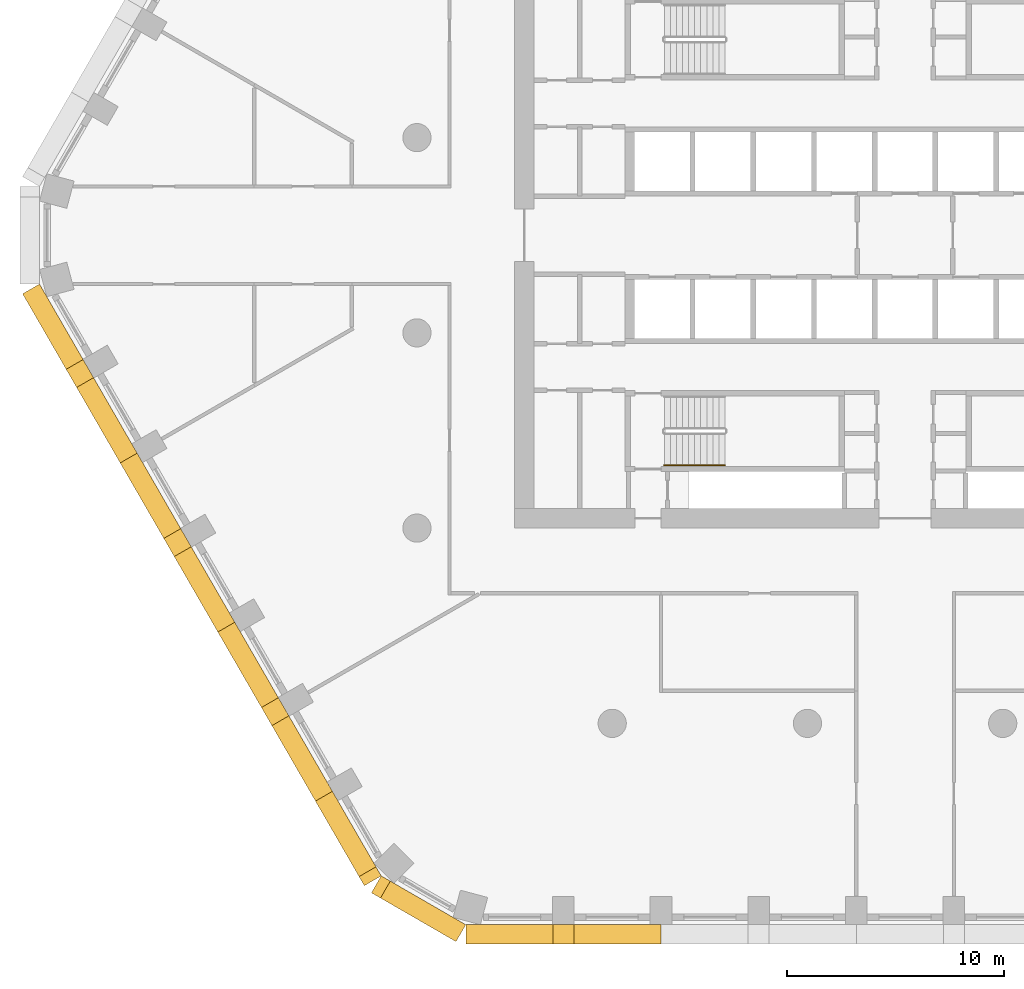
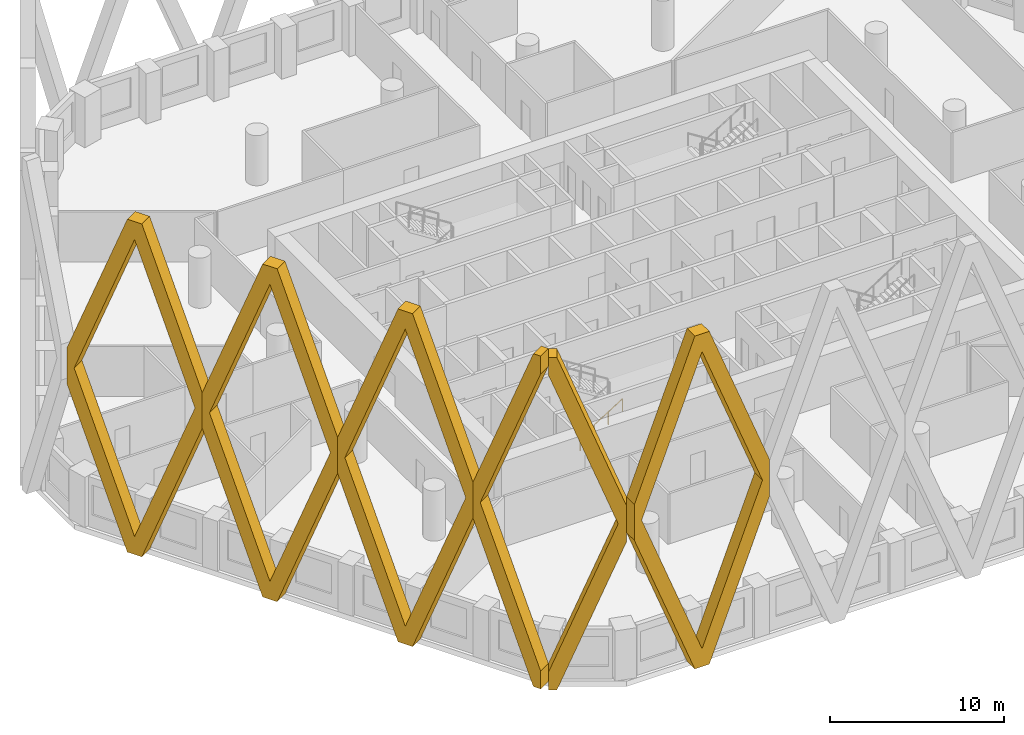
# One storey, part 10 of 18: 6 coverings, 1 railing.
"""IFC4 building model written with IfcOpenShell, lengths in metres."""

import ifcopenshell
import ifcopenshell.guid

model = None  # the IFC model being written
_history = None  # IfcOwnerHistory: only IFC2X3 demands one
_inside = {}  # id of a spatial element -> (the spatial element, [elements in it])
_under = {}  # id of a project, library or spatial element -> (it, [spatial elements below it])
_declared = {}  # id of a project -> (the project, [libraries it declares])
_typed = {}  # id of a type object -> (the type object, [elements of that type])
_made_of = {}  # id of a material, layer set ... -> (it, [elements and type objects made of it])


def new_model(schema):
    """Start an empty IFC model of exactly this schema.

    Asked for "IFC4X3", IfcOpenShell would pick the latest addendum, in which some entities
    have other attributes; the version numbers below select the first issue.
    IFC2X3 requires an IfcOwnerHistory on every rooted entity: one is made here for all.
    """
    global model, _history
    if schema == "IFC4X3":
        model = ifcopenshell.file(schema_version=(4, 3, 0, 0))
    else:
        model = ifcopenshell.file(schema=schema)
    _inside.clear()
    _under.clear()
    _declared.clear()
    _typed.clear()
    _made_of.clear()
    _history = None
    if model.schema == "IFC2X3":
        org = make("IfcOrganization", Name="unknown")
        user = make(
            "IfcPersonAndOrganization",
            ThePerson=make("IfcPerson", FamilyName="unknown"),
            TheOrganization=org,
        )
        app = make(
            "IfcApplication",
            ApplicationDeveloper=org,
            Version="unknown",
            ApplicationFullName="unknown",
            ApplicationIdentifier="unknown",
        )
        _history = make(
            "IfcOwnerHistory",
            OwningUser=user,
            OwningApplication=app,
            ChangeAction="ADDED",
            CreationDate=0,
        )
    return model


def make(cls, **values):
    """One entity of the class cls with the attributes given. An attribute that is None is left unset."""
    return model.create_entity(
        cls, **{name: value for name, value in values.items() if value is not None}
    )


def rooted(cls, **values):
    """An entity with a GlobalId (a new one), such as an element, a storey or a relation."""
    return make(cls, GlobalId=ifcopenshell.guid.new(), OwnerHistory=_history, **values)


def si_unit(unit_type, name, prefix=None):
    """IfcSIUnit, for example si_unit("LENGTHUNIT", "METRE", prefix="MILLI")."""
    return make("IfcSIUnit", UnitType=unit_type, Prefix=prefix, Name=name)


def assignment(units):
    """IfcUnitAssignment: the units of a project."""
    return None if units is None else make("IfcUnitAssignment", Units=units)


def point(xyz):
    """IfcCartesianPoint."""
    return None if xyz is None else make("IfcCartesianPoint", Coordinates=xyz)


def direction(xyz):
    """IfcDirection."""
    return None if xyz is None else make("IfcDirection", DirectionRatios=xyz)


def frame(location, z_axis=None, x_axis=None):
    """IfcAxis2Placement3D, a coordinate frame: its origin and axes. An axis left out is left unset."""
    return make(
        "IfcAxis2Placement3D",
        Location=point(location),
        Axis=direction(z_axis),
        RefDirection=direction(x_axis),
    )


def frame_2d(location, x_axis=None):
    """IfcAxis2Placement2D, a coordinate frame in the plane: its origin and x axis."""
    return make(
        "IfcAxis2Placement2D", Location=point(location), RefDirection=direction(x_axis)
    )


def origin():
    """The frame at (0, 0, 0) with its axes left unset."""
    return frame((0.0, 0.0, 0.0))


def origin_2d():
    """The frame at (0, 0) in the plane with its x axis left unset."""
    return frame_2d((0.0, 0.0))


def place(relative_to, where):
    """IfcLocalPlacement: puts the frame where relative to a parent placement (None: the world)."""
    return make(
        "IfcLocalPlacement", PlacementRelTo=relative_to, RelativePlacement=where
    )


def context(
    kind, dimensions, precision=None, world=None, true_north=None, identifier=None
):
    """IfcGeometricRepresentationContext, for example the 3D "Model" context."""
    return make(
        "IfcGeometricRepresentationContext",
        ContextIdentifier=identifier,
        ContextType=kind,
        CoordinateSpaceDimension=dimensions,
        Precision=precision,
        WorldCoordinateSystem=world,
        TrueNorth=true_north,
    )


def subcontext(parent, identifier, kind, view, scale=None):
    """IfcGeometricRepresentationSubContext, for example "Body" below "Model"."""
    return make(
        "IfcGeometricRepresentationSubContext",
        ContextIdentifier=identifier,
        ContextType=kind,
        ParentContext=parent,
        TargetScale=scale,
        TargetView=view,
    )


def project(units=None, contexts=None):
    """IfcProject with its units and contexts."""
    return rooted(
        "IfcProject",
        Name="project",
        RepresentationContexts=contexts,
        UnitsInContext=assignment(units),
    )


def spatial(cls, under=None, at=None, **own):
    """A site, building, storey or space (cls), placed at a placement, below another one or the project."""
    s = rooted(cls, ObjectPlacement=at, **own)
    if under is not None:
        _under.setdefault(under.id(), (under, []))[1].append(s)
    return s


def polyline(points):
    """IfcPolyline through the points."""
    return make("IfcPolyline", Points=[point(p) for p in points])


def profile(cls, at=None, kind="AREA", **sizes):
    """A parametric profile (cls). Its sizes go by their IFC names, for example OverallWidth=200.0."""
    return make(cls, ProfileType=kind, Position=at, **sizes)


def circle(**sizes):
    """IfcCircleProfileDef."""
    return profile("IfcCircleProfileDef", **sizes)


def outline(outer, holes=None, kind="AREA"):
    """IfcArbitraryClosedProfileDef: a profile drawn as a closed curve; with holes, ...WithVoids."""
    if holes is None:
        return make("IfcArbitraryClosedProfileDef", ProfileType=kind, OuterCurve=outer)
    return make(
        "IfcArbitraryProfileDefWithVoids",
        ProfileType=kind,
        OuterCurve=outer,
        InnerCurves=holes,
    )


def extrude(swept, where, along, depth):
    """IfcExtrudedAreaSolid: the profile swept, set in the frame where, extruded along a direction by depth."""
    return make(
        "IfcExtrudedAreaSolid",
        SweptArea=swept,
        Position=where,
        ExtrudedDirection=direction(along),
        Depth=depth,
    )


def shape(context_of_items, identifier, shape_type, items):
    """IfcShapeRepresentation: the items that make up one representation, for example the "Body"."""
    return make(
        "IfcShapeRepresentation",
        ContextOfItems=context_of_items,
        RepresentationIdentifier=identifier,
        RepresentationType=shape_type,
        Items=items,
    )


def material(Name=None, Category=None):
    """IfcMaterial."""
    return make("IfcMaterial", Name=Name, Category=Category)


def made_of(thing, what):
    """Note that an element or type object is made of a material, layer set ...; save() writes the relation."""
    if what is not None:
        _made_of.setdefault(what.id(), (what, []))[1].append(thing)
    return thing


def type_object(cls, material=None, **own):
    """A type object (cls), such as IfcWallType, which elements share."""
    return made_of(rooted(cls, **own), material)


def element(
    cls,
    number,
    at=None,
    inside=None,
    cuts=None,
    type_object=None,
    material=None,
    context=None,
    identifier="Body",
    shape_type=None,
    held_by="IfcProductDefinitionShape",
    body=None,
    shapes=None,
    **own,
):
    """One element of the class cls, such as IfcWall. Its Tag is "e" and its number.

    at: its placement. inside: the storey or other place that contains it. cuts: it is an
    opening in that element (IfcRelVoidsElement). A single representation is given by context,
    identifier, shape_type and body (its items); several are given by shapes. held_by: the class
    of the entity that holds the representations. save() writes the other relations.
    """
    e = rooted(cls, Tag="e%d" % number, ObjectPlacement=at, **own)
    if body is not None:
        shapes = [shape(context, identifier, shape_type, body)]
    if shapes is not None:
        e.Representation = make(held_by, Representations=shapes)
    if inside is not None:
        _inside.setdefault(inside.id(), (inside, []))[1].append(e)
    if cuts is not None:
        rooted(
            "IfcRelVoidsElement", RelatingBuildingElement=cuts, RelatedOpeningElement=e
        )
    if type_object is not None:
        _typed.setdefault(type_object.id(), (type_object, []))[1].append(e)
    return made_of(e, material)


def aggregate(whole, parts):
    """IfcRelAggregates: a whole, such as a stair, and the parts it consists of."""
    return rooted("IfcRelAggregates", RelatingObject=whole, RelatedObjects=parts)


def save(model, path):
    """Write the relations noted so far, then the file.

    IfcRelAggregates (storeys below a building ...), IfcRelContainedInSpatialStructure (elements
    in a storey), IfcRelDefinesByType, IfcRelAssociatesMaterial and IfcRelDeclares: one each for
    every whole, place, type object, material and project.
    """
    for whole, parts in _under.values():
        aggregate(whole, parts)
    for where, things in _inside.values():
        rooted(
            "IfcRelContainedInSpatialStructure",
            RelatedElements=things,
            RelatingStructure=where,
        )
    for kind, things in _typed.values():
        rooted("IfcRelDefinesByType", RelatedObjects=things, RelatingType=kind)
    for what, things in _made_of.values():
        rooted("IfcRelAssociatesMaterial", RelatedObjects=things, RelatingMaterial=what)
    for by, libraries in _declared.values():
        rooted("IfcRelDeclares", RelatingContext=by, RelatedDefinitions=libraries)
    model.write(path)


model = new_model("IFC4")

# Units and contexts
model_context = context("Model", 3, precision=1e-05, world=origin(), true_north=direction((0.0, 1.0)))
body_context = subcontext(model_context, "Body", "Model", "MODEL_VIEW")
ifc_project = project(units=[si_unit("LENGTHUNIT", "METRE"), si_unit("AREAUNIT", "SQUARE_METRE"), si_unit("VOLUMEUNIT", "CUBIC_METRE"), si_unit("PLANEANGLEUNIT", "RADIAN"), si_unit("MASSUNIT", "GRAM", prefix="KILO")], contexts=[model_context])

# Site, building, storey
site_placement = place(None, origin())
site = spatial("IfcSite", under=ifc_project, at=site_placement, CompositionType="ELEMENT")
building_placement = place(site_placement, origin())
building = spatial("IfcBuilding", under=site, at=building_placement, Name="Dhurran Vertical Campus", CompositionType="ELEMENT")
storey_placement = place(building_placement, frame((0.0, 0.0, 104.699951171875)))
storey = spatial("IfcBuildingStorey", under=building, at=storey_placement, Name="L25", CompositionType="ELEMENT", Elevation=104.699951171875)

# Coverings
ifc_material_1 = material(Name="Precast concrete C50/60", Category="concrete")
covering_type = type_object("IfcCoveringType", Name="Folded precast fin lattice diamond", PredefinedType="USERDEFINED", material=ifc_material_1)
for number, where, z_axis, x_axis, name in (
    (1, (-20.25, -31.77978515625, 0.0), (0.0, -1.0, 0.0), (1.0, 0.0, 0.0), "FN1 L25.001"),
    (2, (-39.897216796875, -2.25, 0.0), (-0.866013897511, -0.50001992892, 0.0), (0.50001992892, -0.866013897511, 0.0), "FN1 L25.028"),
    (3, (-35.397216796875, -10.044189453125, 0.0), (-0.866013897511, -0.50001992892, 0.0), (0.50001992892, -0.866013897511, 0.0), "FN1 L25.029"),
    (4, (-30.897216796875, -17.83837890625, 0.0), (-0.865896406789, -0.500223362819, 0.0), (0.500223362819, -0.865896406789, 0.0), "FN1 L25.030"),
):
    element("IfcCovering", number, at=place(storey_placement, frame(where, z_axis=z_axis, x_axis=x_axis)), inside=storey, type_object=covering_type, Name=name, ObjectType="FIN", PredefinedType="USERDEFINED", context=body_context, shape_type="SweptSolid", body=[
        extrude(outline(polyline([(9.0, 12.95361328125), (9.0, 10.4462890625), (4.982177734375, 0.0), (4.017822265625, 0.0), (0.0, 10.4462890625), (0.0, 12.95361328125), (4.017822265625, 23.39990234375), (4.982177734375, 23.39990234375), (9.0, 12.95361328125)]), holes=[polyline([(8.517822265625, 11.699951171875), (4.5, 22.146484375), (0.482177734375, 11.699951171875), (4.5, 1.253662109375), (8.517822265625, 11.699951171875)])]), origin(), (0.0, 0.0, 1.0), 0.89990234375),
    ])
covering_1_placement = place(storey_placement, frame((-26.397216796875, -25.6328125, 0.0), z_axis=(-0.866013897511, -0.50001992892, 0.0), x_axis=(0.50001992892, -0.866013897511, 0.0)))
element("IfcCovering", 5, at=covering_1_placement, inside=storey, type_object=covering_type, Name="FN1 L25.031", ObjectType="FIN", PredefinedType="USERDEFINED", context=body_context, shape_type="SweptSolid", body=[
    extrude(outline(polyline([(4.017822265625, 0.0), (0.0, 10.4462890625), (0.0, 12.95361328125), (4.017822265625, 23.39990234375), (4.5, 23.39990234375), (4.5, 22.146484375), (0.482177734375, 11.699951171875), (4.5, 1.253662109375), (4.5, 0.0), (4.017822265625, 0.0)])), origin(), (0.0, 0.0, 1.0), 0.89990234375),
])
covering_2_placement = place(storey_placement, frame((-24.147216796875, -29.52978515625, 0.0), z_axis=(-0.50001992892, -0.866013897511, 0.0), x_axis=(0.866013897511, -0.50001992892, 0.0)))
element("IfcCovering", 6, at=covering_2_placement, inside=storey, type_object=covering_type, Name="FN1 L25.032", ObjectType="FIN", PredefinedType="USERDEFINED", context=body_context, shape_type="SweptSolid", body=[
    extrude(outline(polyline([(4.5, 10.4462890625), (0.482177734375, 0.0), (0.0, 0.0), (0.0, 1.253662109375), (4.017822265625, 11.699951171875), (0.0, 22.146484375), (0.0, 23.39990234375), (0.482177734375, 23.39990234375), (4.5, 12.95361328125), (4.5, 10.4462890625)])), origin(), (0.0, 0.0, 1.0), 0.89990234375),
])

# Railing
ifc_material_2 = material(Name="Stainless steel handrail", Category="steel")
railing_type = type_object("IfcRailingType", Name="co-RL-HANDRAIL-900", PredefinedType="HANDRAIL", material=ifc_material_2)
railing_placement = place(storey_placement, frame((-11.10009765625, -10.60009765625, 0.17724609375)))
element("IfcRailing", 7, at=railing_placement, inside=storey, type_object=railing_type, Name="L25 ST3 stair handrail 1", PredefinedType="HANDRAIL", context=body_context, shape_type="SweptSolid", body=[
    extrude(circle(Radius=0.02392578125, at=origin_2d()), frame((0.0, 0.0, 0.8759765625), z_axis=(0.844908973607, 0.0, 0.534910110503), x_axis=(0.0, 1.0, 0.0)), (0.0, 0.0, 1.0), 3.31396484375),
    extrude(circle(Radius=0.02099609375, at=origin_2d()), origin(), (0.0, 0.0, 1.0), 0.851806640625),
    extrude(circle(Radius=0.02099609375, at=origin_2d()), frame((0.933349609375, 0.0, 0.5908203125)), (0.0, 0.0, 1.0), 0.851806640625),
    extrude(circle(Radius=0.02099609375, at=origin_2d()), frame((1.86669921875, 0.0, 1.181884765625)), (0.0, 0.0, 1.0), 0.851806640625),
    extrude(circle(Radius=0.02099609375, at=origin_2d()), frame((2.800048828125, 0.0, 1.772705078125)), (0.0, 0.0, 1.0), 0.851806640625),
])

save(model, "model.ifc")
